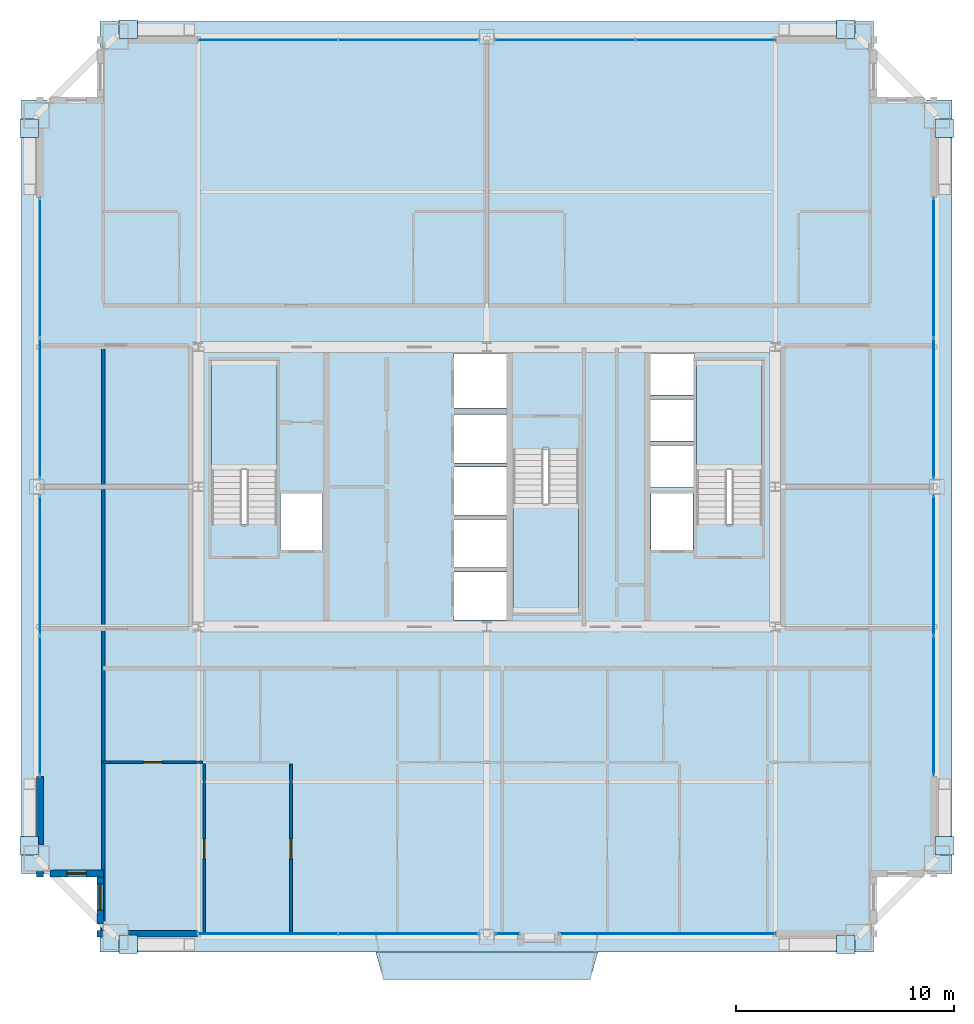
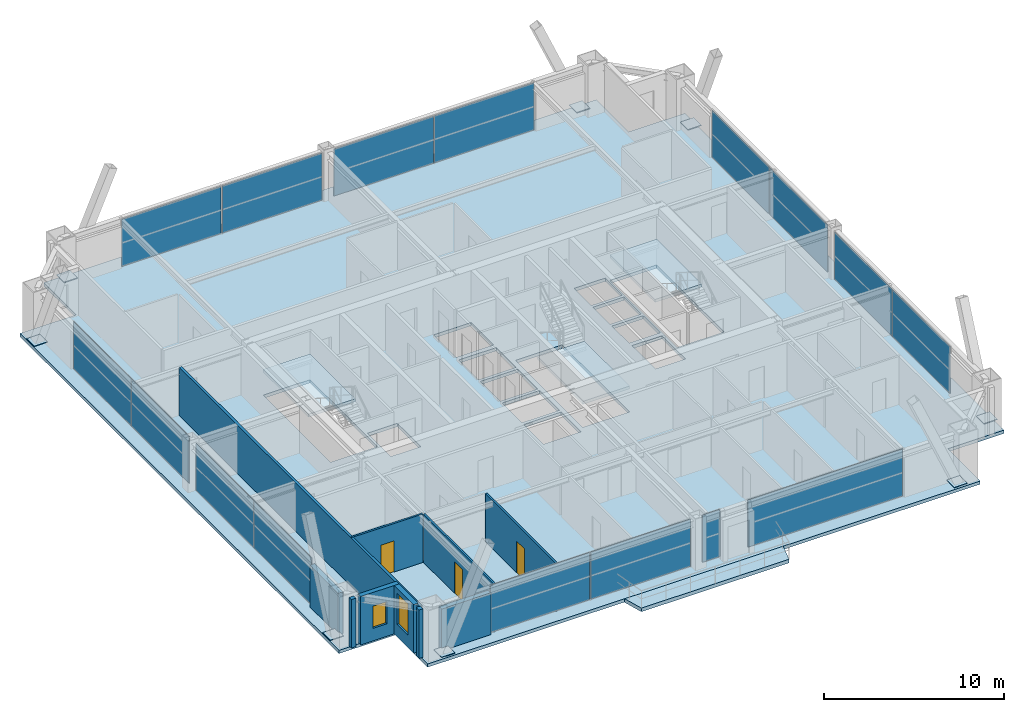
# One storey, part 30 of 35: 24 plates, 10 walls, 5 slabs, 3 doors, 2 windows, 5 openings, 12 elements without a shape of their own.
"""IFC4 building model written with IfcOpenShell, lengths in metres."""

from ifc_helpers import new_model, si_unit, direction, frame, frame_2d, origin, origin_2d, place, context, subcontext, project, spatial, polyline, rectangle, outline, extrude, source, transform, mapped, material, layer, layer_set, type_object, element, fill, aggregate, save


model = new_model("IFC4")

# Units and contexts
model_context = context("Model", 3, precision=1e-05, world=origin(), true_north=direction((0.0, 1.0)))
body_context = subcontext(model_context, "Body", "Model", "MODEL_VIEW")
ifc_project = project(units=[si_unit("LENGTHUNIT", "METRE"), si_unit("AREAUNIT", "SQUARE_METRE"), si_unit("VOLUMEUNIT", "CUBIC_METRE"), si_unit("PLANEANGLEUNIT", "RADIAN"), si_unit("MASSUNIT", "GRAM", prefix="KILO"), si_unit("THERMODYNAMICTEMPERATUREUNIT", "KELVIN"), si_unit("POWERUNIT", "WATT")], contexts=[model_context])

# Site, building, storey
site_placement = place(None, origin())
site = spatial("IfcSite", under=ifc_project, at=site_placement, CompositionType="ELEMENT")
building_placement = place(site_placement, origin())
building = spatial("IfcBuilding", under=site, at=building_placement, Name="Yuzanri Waterfront Tower", CompositionType="ELEMENT")
storey_placement = place(building_placement, frame((0.0, 0.0, 227.60009765625)))
storey = spatial("IfcBuildingStorey", under=building, at=storey_placement, Name="L60", CompositionType="ELEMENT", Elevation=227.60009765625)

# Stair, slab
ifc_material_1 = material(Name="Concrete C40", Category="concrete")
stair_type = type_object("IfcStairType", Name="Concrete C40 Core Dogleg Exit Stair", PredefinedType="HALF_TURN_STAIR", material=ifc_material_1)
stair_1_placement = place(storey_placement, origin())
stair_1 = element("IfcStair", 1, at=stair_1_placement, inside=storey, type_object=stair_type, Name="L60 Smoke-Proof Core Stair ST-01", PredefinedType="HALF_TURN_STAIR")
ifc_material_2 = material(Name="Concrete C40", Category="concrete")
ifc_layer_1 = layer(ifc_material_2, 0.179931640625)
ifc_layer_set_1 = layer_set([ifc_layer_1], Name="Concrete C40")
slab_type_1 = type_object("IfcSlabType", Name="Concrete C40 Stair Half-Landing Slab 180", PredefinedType="LANDING", material=ifc_layer_set_1)
slab_1_placement = place(storey_placement, frame((0.0, 0.0, 1.5498046875)))
slab_1 = element("IfcSlab", 2, at=slab_1_placement, type_object=slab_type_1, Name="ST-01 landing 1", PredefinedType="LANDING", context=body_context, shape_type="SweptSolid", body=[
    extrude(outline(polyline([(27.39990234375, 26.56005859375), (27.39990234375, 31.580078125), (24.39990234375, 31.580078125), (24.39990234375, 26.56005859375), (27.39990234375, 26.56005859375)])), origin(), (0.0, 0.0, 1.0), 0.2001953125),
])
aggregate(stair_1, [slab_1])

stair_2_placement = place(storey_placement, origin())
stair_2 = element("IfcStair", 3, at=stair_2_placement, inside=storey, type_object=stair_type, Name="L60 Smoke-Proof Core Stair ST-02", PredefinedType="HALF_TURN_STAIR")
slab_2_placement = place(storey_placement, frame((0.0, 0.0, 1.5498046875)))
slab_2 = element("IfcSlab", 4, at=slab_2_placement, type_object=slab_type_1, Name="ST-02 landing 1", PredefinedType="LANDING", context=body_context, shape_type="SweptSolid", body=[
    extrude(outline(polyline([(49.60009765625, 26.56005859375), (49.60009765625, 31.580078125), (46.60009765625, 31.580078125), (46.60009765625, 26.56005859375), (49.60009765625, 26.56005859375)])), origin(), (0.0, 0.0, 1.0), 0.2001953125),
])
aggregate(stair_2, [slab_2])

stair_3_placement = place(storey_placement, origin())
stair_3 = element("IfcStair", 5, at=stair_3_placement, inside=storey, type_object=stair_type, Name="L60 Smoke-Proof Core Stair ST-03", PredefinedType="HALF_TURN_STAIR")
slab_3_placement = place(storey_placement, frame((0.0, 0.0, 1.5498046875)))
slab_3 = element("IfcSlab", 6, at=slab_3_placement, type_object=slab_type_1, Name="ST-03 landing 1", PredefinedType="LANDING", context=body_context, shape_type="SweptSolid", body=[
    extrude(outline(polyline([(38.199951171875, 25.0400390625), (38.199951171875, 20.02001953125), (41.199951171875, 20.02001953125), (41.199951171875, 25.0400390625), (38.199951171875, 25.0400390625)])), origin(), (0.0, 0.0, 1.0), 0.2001953125),
])
aggregate(stair_3, [slab_3])

# Slabs
ifc_material_3 = material(Name="Concrete C40", Category="concrete")
ifc_layer_2 = layer(ifc_material_3, 0.25)
ifc_layer_set_2 = layer_set([ifc_layer_2], Name="Concrete C40")
slab_type_2 = type_object("IfcSlabType", Name="Concrete C40 Stepped Gorge Pocket Garden Terrace Slab 250", PredefinedType="FLOOR", material=ifc_layer_set_2)
slab_4_placement = place(storey_placement, frame((0.0, 0.0, -0.25)))
element("IfcSlab", 7, at=slab_4_placement, inside=storey, type_object=slab_type_2, Name="L60 S Cantilevered Engawa Terrace Slab", PredefinedType="FLOOR", context=body_context, shape_type="SweptSolid", body=[
    extrude(outline(polyline([(31.919921875, 4.5), (42.080078125, 4.5), (41.72998046875, 3.2509765625), (32.27001953125, 3.2509765625), (31.919921875, 4.5)])), origin(), (0.0, 0.0, 1.0), 0.25),
])
ifc_material_4 = material(Name="Concrete C40", Category="concrete")
ifc_layer_3 = layer(ifc_material_4, 0.219970703125)
ifc_layer_set_3 = layer_set([ifc_layer_3], Name="Concrete C40")
slab_type_3 = type_object("IfcSlabType", Name="Concrete C40 Tower Typical Structural Floor Slab 220", PredefinedType="FLOOR", material=ifc_layer_set_3)
slab_5_placement = place(storey_placement, frame((0.0, 0.0, -0.22021484375)))
element("IfcSlab", 8, at=slab_5_placement, inside=storey, type_object=slab_type_3, Name="L60 Main Structural Floor Slab", PredefinedType="FLOOR", context=body_context, shape_type="SweptSolid", body=[
    extrude(outline(polyline([(19.300048828125, 4.5), (54.699951171875, 4.5), (54.699951171875, 8.10009765625), (58.300048828125, 8.10009765625), (58.300048828125, 43.5), (54.699951171875, 43.5), (54.699951171875, 47.10009765625), (19.300048828125, 47.10009765625), (19.300048828125, 43.5), (15.699951171875, 43.5), (15.699951171875, 8.10009765625), (19.300048828125, 8.10009765625), (19.300048828125, 4.5)]), holes=[polyline([(27.39990234375, 24.10009765625), (27.39990234375, 31.580078125), (24.39990234375, 31.580078125), (24.39990234375, 24.10009765625), (27.39990234375, 24.10009765625)]), polyline([(49.60009765625, 24.10009765625), (49.60009765625, 31.580078125), (46.60009765625, 31.580078125), (46.60009765625, 24.10009765625), (49.60009765625, 24.10009765625)]), polyline([(38.199951171875, 27.5), (38.199951171875, 20.02001953125), (41.199951171875, 20.02001953125), (41.199951171875, 27.5), (38.199951171875, 27.5)]), polyline([(27.56005859375, 22.89990234375), (29.47998046875, 22.89990234375), (29.47998046875, 25.5), (27.56005859375, 25.5), (27.56005859375, 22.89990234375)]), polyline([(44.52001953125, 22.89990234375), (46.43994140625, 22.89990234375), (46.43994140625, 25.5), (44.52001953125, 25.5), (44.52001953125, 22.89990234375)]), polyline([(35.5, 19.699951171875), (37.89990234375, 19.699951171875), (37.89990234375, 21.89990234375), (35.5, 21.89990234375), (35.5, 19.699951171875)]), polyline([(35.5, 22.10009765625), (37.89990234375, 22.10009765625), (37.89990234375, 24.300048828125), (35.5, 24.300048828125), (35.5, 22.10009765625)]), polyline([(35.5, 24.5), (37.89990234375, 24.5), (37.89990234375, 26.699951171875), (35.5, 26.699951171875), (35.5, 24.5)]), polyline([(35.5, 26.89990234375), (37.89990234375, 26.89990234375), (37.89990234375, 29.10009765625), (35.5, 29.10009765625), (35.5, 26.89990234375)]), polyline([(35.5, 29.39990234375), (37.89990234375, 29.39990234375), (37.89990234375, 31.89990234375), (35.5, 31.89990234375), (35.5, 29.39990234375)]), polyline([(44.5, 25.800048828125), (46.5, 25.800048828125), (46.5, 27.699951171875), (44.5, 27.699951171875), (44.5, 25.800048828125)]), polyline([(44.5, 27.89990234375), (46.5, 27.89990234375), (46.5, 29.800048828125), (44.5, 29.800048828125), (44.5, 27.89990234375)]), polyline([(44.5, 30.0), (46.5, 30.0), (46.5, 31.89990234375), (44.5, 31.89990234375), (44.5, 30.0)])]), origin(), (0.0, 0.0, 1.0), 0.22021484375),
])

# Plates
ifc_material_5 = material(Name="Steel Q420GJC", Category="steel")
ifc_layer_4 = layer(ifc_material_5, 0.0400390625)
ifc_layer_set_4 = layer_set([ifc_layer_4], Name="Steel Q420GJC")
plate_type_1 = type_object("IfcPlateType", Name="Steel Q420GJC Mega-Brace Gusset and End-Cap Plate 40", PredefinedType="SHEET", material=ifc_layer_set_4)
shared_shape_1 = source(origin(), body_context, "Body", "SweptSolid", [
    extrude(rectangle(XDim=0.85009765625, YDim=0.85009765625, at=origin_2d()), origin(), (0.0, 0.0, 1.0), 0.0400390625),
])
for number, where, z_axis, x_axis, name in (
    (9, (20.580078125, 4.860107421875, 0.159912109375), (0.0, 0.0, 1.0), (1.0, 0.0, 0.0), "L60 Mega-Brace Foot Cap Plate S-L"),
    (10, (53.419921875, 4.860107421875, 0.159912109375), (0.0, 0.0, 1.0), (1.0, 0.0, 0.0), "L60 Mega-Brace Foot Cap Plate S-R"),
    (11, (20.580078125, 46.739990234375, 0.159912109375), (0.0, 0.0, 1.0), (1.0, 0.0, 0.0), "L60 Mega-Brace Foot Cap Plate N-L"),
    (12, (53.419921875, 46.739990234375, 0.159912109375), (0.0, 0.0, 1.0), (1.0, 0.0, 0.0), "L60 Mega-Brace Foot Cap Plate N-R"),
    (13, (16.06005859375, 9.3798828125, 0.159912109375), (0.0, 0.0, 1.0), (1.0, 0.0, 0.0), "L60 Mega-Brace Foot Cap Plate W-L"),
    (14, (16.06005859375, 42.219970703125, 0.159912109375), (0.0, 0.0, 1.0), (1.0, 0.0, 0.0), "L60 Mega-Brace Foot Cap Plate W-R"),
    (15, (57.93994140625, 9.3798828125, 0.159912109375), (0.0, 0.0, 1.0), (1.0, 0.0, 0.0), "L60 Mega-Brace Foot Cap Plate E-L"),
    (16, (57.93994140625, 42.219970703125, 0.159912109375), (0.0, 0.0, 1.0), (1.0, 0.0, 0.0), "L60 Mega-Brace Foot Cap Plate E-R"),
):
    element("IfcPlate", number, at=place(storey_placement, frame(where, z_axis=z_axis, x_axis=x_axis)), inside=storey, type_object=plate_type_1, Name=name, PredefinedType="SHEET", context=body_context, shape_type="MappedRepresentation", body=[
        mapped(shared_shape_1, transform((0.0, 0.0, 0.0), scale=1.0)),
    ])

# Curtain wall, plates
ifc_material_6 = material(Name="Anodized Architectural Bronze", Category="metal")
ifc_layer_5 = layer(ifc_material_6, 0.159912109375)
ifc_layer_set_5 = layer_set([ifc_layer_5], Name="Anodized Architectural Bronze")
curtain_wall_type = type_object("IfcCurtainWallType", Name="Anodized Bronze Mid-Rise Residential Acoustic Unitized Curtain Wall 7200", PredefinedType="NOTDEFINED", material=ifc_layer_set_5)
curtain_wall_1_placement = place(storey_placement, origin())
curtain_wall_1 = element("IfcCurtainWall", 17, at=curtain_wall_1_placement, inside=storey, type_object=curtain_wall_type, Name="L60 Curtain Wall CW-L60-SL", PredefinedType="NOTDEFINED")
ifc_material_7 = material(Name="Triple Low-E Laminated Insulated Glass", Category="glass")
ifc_layer_6 = layer(ifc_material_7, 0.0439453125)
ifc_layer_set_6 = layer_set([ifc_layer_6], Name="Triple Low-E Laminated Insulated Glass")
plate_type_2 = type_object("IfcPlateType", Name="Triple Glazed Acoustic Vision Glass Panel 44", PredefinedType="CURTAIN_PANEL", material=ifc_layer_set_6)
shared_shape_2 = source(origin(), body_context, "Body", "SweptSolid", [
    extrude(rectangle(XDim=6.3701171875, YDim=0.0439453125, at=origin_2d()), origin(), (0.0, 0.0, 1.0), 3.179931640625),
])
plate_1_placement = place(storey_placement, frame((26.97509765625, 5.35009765625, 0.0498046875), z_axis=(0.0, 0.0, 1.0), x_axis=(1.0, 0.0, 0.0)))
plate_1 = element("IfcPlate", 18, at=plate_1_placement, type_object=plate_type_2, Name="CW-L60-SL Vision Glass Panel 01", PredefinedType="CURTAIN_PANEL", context=body_context, shape_type="MappedRepresentation", body=[
    mapped(shared_shape_2, transform((0.0, 0.0, 0.0), scale=1.0)),
])
plate_2_placement = place(storey_placement, frame((33.425048828125, 5.35009765625, 0.0498046875), z_axis=(0.0, 0.0, 1.0), x_axis=(1.0, 0.0, 0.0)))
plate_2 = element("IfcPlate", 19, at=plate_2_placement, type_object=plate_type_2, Name="CW-L60-SL Vision Glass Panel 02", PredefinedType="CURTAIN_PANEL", context=body_context, shape_type="MappedRepresentation", body=[
    mapped(shared_shape_2, transform((0.0, 0.0, 0.0), scale=1.0)),
])
aggregate(curtain_wall_1, [plate_1, plate_2])

curtain_wall_2_placement = place(storey_placement, origin())
curtain_wall_2 = element("IfcCurtainWall", 20, at=curtain_wall_2_placement, inside=storey, type_object=curtain_wall_type, Name="L60 Curtain Wall CW-L60-NL", PredefinedType="NOTDEFINED")
plate_3_placement = place(storey_placement, frame((26.97509765625, 46.25, 0.0498046875), z_axis=(0.0, 0.0, 1.0), x_axis=(1.0, 0.0, 0.0)))
plate_3 = element("IfcPlate", 21, at=plate_3_placement, type_object=plate_type_2, Name="CW-L60-NL Vision Glass Panel 01", PredefinedType="CURTAIN_PANEL", context=body_context, shape_type="MappedRepresentation", body=[
    mapped(shared_shape_2, transform((0.0, 0.0, 0.0), scale=1.0)),
])
plate_4_placement = place(storey_placement, frame((33.425048828125, 46.25, 0.0498046875), z_axis=(0.0, 0.0, 1.0), x_axis=(1.0, 0.0, 0.0)))
plate_4 = element("IfcPlate", 22, at=plate_4_placement, type_object=plate_type_2, Name="CW-L60-NL Vision Glass Panel 02", PredefinedType="CURTAIN_PANEL", context=body_context, shape_type="MappedRepresentation", body=[
    mapped(shared_shape_2, transform((0.0, 0.0, 0.0), scale=1.0)),
])
aggregate(curtain_wall_2, [plate_3, plate_4])

curtain_wall_3_placement = place(storey_placement, origin())
curtain_wall_3 = element("IfcCurtainWall", 23, at=curtain_wall_3_placement, inside=storey, type_object=curtain_wall_type, Name="L60 Curtain Wall CW-L60-NR", PredefinedType="NOTDEFINED")
plate_5_placement = place(storey_placement, frame((40.574951171875, 46.25, 0.0498046875), z_axis=(0.0, 0.0, 1.0), x_axis=(1.0, 0.0, 0.0)))
plate_5 = element("IfcPlate", 24, at=plate_5_placement, type_object=plate_type_2, Name="CW-L60-NR Vision Glass Panel 01", PredefinedType="CURTAIN_PANEL", context=body_context, shape_type="MappedRepresentation", body=[
    mapped(shared_shape_2, transform((0.0, 0.0, 0.0), scale=1.0)),
])
plate_6_placement = place(storey_placement, frame((47.02490234375, 46.25, 0.0498046875), z_axis=(0.0, 0.0, 1.0), x_axis=(1.0, 0.0, 0.0)))
plate_6 = element("IfcPlate", 25, at=plate_6_placement, type_object=plate_type_2, Name="CW-L60-NR Vision Glass Panel 02", PredefinedType="CURTAIN_PANEL", context=body_context, shape_type="MappedRepresentation", body=[
    mapped(shared_shape_2, transform((0.0, 0.0, 0.0), scale=1.0)),
])
aggregate(curtain_wall_3, [plate_5, plate_6])

curtain_wall_4_placement = place(storey_placement, origin())
curtain_wall_4 = element("IfcCurtainWall", 26, at=curtain_wall_4_placement, inside=storey, type_object=curtain_wall_type, Name="L60 Curtain Wall CW-L60-WL", PredefinedType="NOTDEFINED")
plate_7_placement = place(storey_placement, frame((16.550048828125, 15.77490234375, 0.0498046875), z_axis=(0.0, 0.0, 1.0), x_axis=(0.0, 1.0, 0.0)))
plate_7 = element("IfcPlate", 27, at=plate_7_placement, type_object=plate_type_2, Name="CW-L60-WL Vision Glass Panel 01", PredefinedType="CURTAIN_PANEL", context=body_context, shape_type="MappedRepresentation", body=[
    mapped(shared_shape_2, transform((0.0, 0.0, 0.0), scale=1.0)),
])
plate_8_placement = place(storey_placement, frame((16.550048828125, 22.22509765625, 0.0498046875), z_axis=(0.0, 0.0, 1.0), x_axis=(0.0, 1.0, 0.0)))
plate_8 = element("IfcPlate", 28, at=plate_8_placement, type_object=plate_type_2, Name="CW-L60-WL Vision Glass Panel 02", PredefinedType="CURTAIN_PANEL", context=body_context, shape_type="MappedRepresentation", body=[
    mapped(shared_shape_2, transform((0.0, 0.0, 0.0), scale=1.0)),
])
aggregate(curtain_wall_4, [plate_7, plate_8])

curtain_wall_5_placement = place(storey_placement, origin())
curtain_wall_5 = element("IfcCurtainWall", 29, at=curtain_wall_5_placement, inside=storey, type_object=curtain_wall_type, Name="L60 Curtain Wall CW-L60-WR", PredefinedType="NOTDEFINED")
plate_9_placement = place(storey_placement, frame((16.550048828125, 29.375, 0.0498046875), z_axis=(0.0, 0.0, 1.0), x_axis=(0.0, 1.0, 0.0)))
plate_9 = element("IfcPlate", 30, at=plate_9_placement, type_object=plate_type_2, Name="CW-L60-WR Vision Glass Panel 01", PredefinedType="CURTAIN_PANEL", context=body_context, shape_type="MappedRepresentation", body=[
    mapped(shared_shape_2, transform((0.0, 0.0, 0.0), scale=1.0)),
])
plate_10_placement = place(storey_placement, frame((16.550048828125, 35.824951171875, 0.0498046875), z_axis=(0.0, 0.0, 1.0), x_axis=(0.0, 1.0, 0.0)))
plate_10 = element("IfcPlate", 31, at=plate_10_placement, type_object=plate_type_2, Name="CW-L60-WR Vision Glass Panel 02", PredefinedType="CURTAIN_PANEL", context=body_context, shape_type="MappedRepresentation", body=[
    mapped(shared_shape_2, transform((0.0, 0.0, 0.0), scale=1.0)),
])
aggregate(curtain_wall_5, [plate_9, plate_10])

curtain_wall_6_placement = place(storey_placement, origin())
curtain_wall_6 = element("IfcCurtainWall", 32, at=curtain_wall_6_placement, inside=storey, type_object=curtain_wall_type, Name="L60 Curtain Wall CW-L60-EL", PredefinedType="NOTDEFINED")
plate_11_placement = place(storey_placement, frame((57.449951171875, 15.77490234375, 0.0498046875), z_axis=(0.0, 0.0, 1.0), x_axis=(0.0, 1.0, 0.0)))
plate_11 = element("IfcPlate", 33, at=plate_11_placement, type_object=plate_type_2, Name="CW-L60-EL Vision Glass Panel 01", PredefinedType="CURTAIN_PANEL", context=body_context, shape_type="MappedRepresentation", body=[
    mapped(shared_shape_2, transform((0.0, 0.0, 0.0), scale=1.0)),
])
plate_12_placement = place(storey_placement, frame((57.449951171875, 22.22509765625, 0.0498046875), z_axis=(0.0, 0.0, 1.0), x_axis=(0.0, 1.0, 0.0)))
plate_12 = element("IfcPlate", 34, at=plate_12_placement, type_object=plate_type_2, Name="CW-L60-EL Vision Glass Panel 02", PredefinedType="CURTAIN_PANEL", context=body_context, shape_type="MappedRepresentation", body=[
    mapped(shared_shape_2, transform((0.0, 0.0, 0.0), scale=1.0)),
])
aggregate(curtain_wall_6, [plate_11, plate_12])

curtain_wall_7_placement = place(storey_placement, origin())
curtain_wall_7 = element("IfcCurtainWall", 35, at=curtain_wall_7_placement, inside=storey, type_object=curtain_wall_type, Name="L60 Curtain Wall CW-L60-ER", PredefinedType="NOTDEFINED")
plate_13_placement = place(storey_placement, frame((57.449951171875, 29.375, 0.0498046875), z_axis=(0.0, 0.0, 1.0), x_axis=(0.0, 1.0, 0.0)))
plate_13 = element("IfcPlate", 36, at=plate_13_placement, type_object=plate_type_2, Name="CW-L60-ER Vision Glass Panel 01", PredefinedType="CURTAIN_PANEL", context=body_context, shape_type="MappedRepresentation", body=[
    mapped(shared_shape_2, transform((0.0, 0.0, 0.0), scale=1.0)),
])
plate_14_placement = place(storey_placement, frame((57.449951171875, 35.824951171875, 0.0498046875), z_axis=(0.0, 0.0, 1.0), x_axis=(0.0, 1.0, 0.0)))
plate_14 = element("IfcPlate", 37, at=plate_14_placement, type_object=plate_type_2, Name="CW-L60-ER Vision Glass Panel 02", PredefinedType="CURTAIN_PANEL", context=body_context, shape_type="MappedRepresentation", body=[
    mapped(shared_shape_2, transform((0.0, 0.0, 0.0), scale=1.0)),
])
aggregate(curtain_wall_7, [plate_13, plate_14])

# Curtain wall, plate
curtain_wall_8_placement = place(storey_placement, origin())
curtain_wall_8 = element("IfcCurtainWall", 38, at=curtain_wall_8_placement, inside=storey, type_object=curtain_wall_type, Name="L60 Curtain Wall CW-L60-SR1", PredefinedType="NOTDEFINED")
shared_shape_3 = source(origin(), body_context, "Body", "SweptSolid", [
    extrude(rectangle(XDim=1.1201171875, YDim=0.0439453125, at=origin_2d()), origin(), (0.0, 0.0, 1.0), 3.179931640625),
])
plate_15_placement = place(storey_placement, frame((37.949951171875, 5.35009765625, 0.0498046875), z_axis=(0.0, 0.0, 1.0), x_axis=(1.0, 0.0, 0.0)))
plate_15 = element("IfcPlate", 39, at=plate_15_placement, type_object=plate_type_2, Name="CW-L60-SR1 Vision Glass Panel 01", PredefinedType="CURTAIN_PANEL", context=body_context, shape_type="MappedRepresentation", body=[
    mapped(shared_shape_3, transform((0.0, 0.0, 0.0), scale=1.0)),
])
aggregate(curtain_wall_8, [plate_15])

curtain_wall_9_placement = place(storey_placement, origin())
curtain_wall_9 = element("IfcCurtainWall", 40, at=curtain_wall_9_placement, inside=storey, type_object=curtain_wall_type, Name="L60 Curtain Wall CW-L60-SR2", PredefinedType="NOTDEFINED")
shared_shape_4 = source(origin(), body_context, "Body", "SweptSolid", [
    extrude(rectangle(XDim=9.919921875, YDim=0.0439453125, at=origin_2d()), origin(), (0.0, 0.0, 1.0), 3.179931640625),
])
plate_16_placement = place(storey_placement, frame((45.25, 5.35009765625, 0.0498046875), z_axis=(0.0, 0.0, 1.0), x_axis=(1.0, 0.0, 0.0)))
plate_16 = element("IfcPlate", 41, at=plate_16_placement, type_object=plate_type_2, Name="CW-L60-SR2 Vision Glass Panel 01", PredefinedType="CURTAIN_PANEL", context=body_context, shape_type="MappedRepresentation", body=[
    mapped(shared_shape_4, transform((0.0, 0.0, 0.0), scale=1.0)),
])
aggregate(curtain_wall_9, [plate_16])

# Wall, opening, door
ifc_material_8 = material(Name="Moisture-Resistant Gypsum Stud Wall", Category="gypsum")
ifc_layer_7 = layer(ifc_material_8, 0.1201171875)
ifc_layer_set_7 = layer_set([ifc_layer_7], Name="Moisture-Resistant Gypsum Stud Wall")
wall_type_1 = type_object("IfcWallType", Name="Bathroom and Kitchen Wet Partition 120", PredefinedType="PARTITIONING", material=ifc_layer_set_7)
wall_1_placement = place(storey_placement, frame((19.43994140625, 13.199951171875, 0.0), z_axis=(0.0, 0.0, 1.0), x_axis=(1.0, 0.0, 0.0)))
wall_1 = element("IfcWall", 42, at=wall_1_placement, inside=storey, type_object=wall_type_1, Name="L60 Partition UW-L60-RS1-SUB-1-S", PredefinedType="PARTITIONING", context=body_context, shape_type="SweptSolid", body=[
    extrude(rectangle(XDim=4.545166015625, YDim=0.1201171875, at=frame_2d((2.2724609375, 0.0))), origin(), (0.0, 0.0, 1.0), 3.27978515625),
])
opening_1_placement = place(wall_1_placement, frame((1.847412109375, 0.0, 0.0)))
opening_1 = element("IfcOpeningElement", 43, at=opening_1_placement, cuts=wall_1, Name="Opening ID-0850", PredefinedType="OPENING", context=body_context, shape_type="SweptSolid", body=[
    extrude(rectangle(XDim=0.85009765625, YDim=2.10009765625, at=frame_2d((0.425048828125, 1.050048828125))), frame((0.0, 0.074951171875, 0.0), z_axis=(0.0, -1.0, 0.0), x_axis=(1.0, 0.0, 0.0)), (0.0, 0.0, 1.0), 0.14990234375),
])
ifc_material_9 = material(Name="Moisture-Resistant Lacquered Timber", Category="wood")
door_type_1 = type_object("IfcDoorType", Name="En-Suite Bathroom and Kitchen Swing Door 850x2100", OperationType="NOTDEFINED", PredefinedType="DOOR", material=ifc_material_9)
shared_shape_5 = source(origin(), body_context, "Body", "SweptSolid", [
    extrude(rectangle(XDim=0.85009765625, YDim=2.10009765625, at=frame_2d((0.425048828125, 1.050048828125))), frame((0.0, 0.02490234375, 0.0), z_axis=(0.0, -1.0, 0.0), x_axis=(1.0, 0.0, 0.0)), (0.0, 0.0, 1.0), 0.050048828125),
])
door_1_placement = place(opening_1_placement, origin())
door_1 = element("IfcDoor", 44, at=door_1_placement, inside=storey, type_object=door_type_1, Name="L60 Suite Interior Room Door", OperationType="SINGLE_SWING_RIGHT", OverallHeight=2.10009765625, OverallWidth=0.85009765625, PredefinedType="DOOR", context=body_context, shape_type="MappedRepresentation", body=[
    mapped(shared_shape_5, transform((0.0, 0.0, 0.0), scale=1.0)),
])
fill(opening_1, door_1)

wall_2_placement = place(storey_placement, frame((24.06494140625, 5.35009765625, 0.0), z_axis=(0.0, 0.0, 1.0), x_axis=(0.0, 1.0, 0.0)))
wall_2 = element("IfcWall", 45, at=wall_2_placement, inside=storey, type_object=wall_type_1, Name="L60 Partition UW-L60-RS1-SUB-5-E", PredefinedType="PARTITIONING", context=body_context, shape_type="SweptSolid", body=[
    extrude(rectangle(XDim=7.77001953125, YDim=0.1201171875, at=frame_2d((3.885009765625, 0.0))), origin(), (0.0, 0.0, 1.0), 3.27978515625),
])
opening_2_placement = place(wall_2_placement, frame((3.43505859375, 0.0, 0.0)))
opening_2 = element("IfcOpeningElement", 46, at=opening_2_placement, cuts=wall_2, Name="Opening ID-0900", PredefinedType="OPENING", context=body_context, shape_type="SweptSolid", body=[
    extrude(rectangle(XDim=0.89990234375, YDim=2.14990234375, at=frame_2d((0.449951171875, 1.074951171875))), frame((0.0, 0.074951171875, 0.0), z_axis=(0.0, -1.0, 0.0), x_axis=(1.0, 0.0, 0.0)), (0.0, 0.0, 1.0), 0.14990234375),
])
ifc_material_10 = material(Name="Stained Walnut Veneer Timber", Category="wood")
door_type_2 = type_object("IfcDoorType", Name="Bedroom and Study Interior Swing Door 900x2150", OperationType="NOTDEFINED", PredefinedType="DOOR", material=ifc_material_10)
shared_shape_6 = source(origin(), body_context, "Body", "SweptSolid", [
    extrude(rectangle(XDim=0.89990234375, YDim=2.14990234375, at=frame_2d((0.449951171875, 1.074951171875))), frame((0.0, 0.02490234375, 0.0), z_axis=(0.0, -1.0, 0.0), x_axis=(1.0, 0.0, 0.0)), (0.0, 0.0, 1.0), 0.050048828125),
])
door_2_placement = place(opening_2_placement, origin())
door_2 = element("IfcDoor", 47, at=door_2_placement, inside=storey, type_object=door_type_2, Name="L60 Suite Interior Room Door", OperationType="SINGLE_SWING_RIGHT", OverallHeight=2.14990234375, OverallWidth=0.89990234375, PredefinedType="DOOR", context=body_context, shape_type="MappedRepresentation", body=[
    mapped(shared_shape_6, transform((0.0, 0.0, 0.0), scale=1.0)),
])
fill(opening_2, door_2)

wall_3_placement = place(storey_placement, frame((28.0400390625, 5.35009765625, 0.0), z_axis=(0.0, 0.0, 1.0), x_axis=(0.0, 1.0, 0.0)))
wall_3 = element("IfcWall", 48, at=wall_3_placement, inside=storey, type_object=wall_type_1, Name="L60 Partition UW-L60-RS1-SUB-7-E", PredefinedType="PARTITIONING", context=body_context, shape_type="SweptSolid", body=[
    extrude(rectangle(XDim=7.77001953125, YDim=0.1201171875, at=frame_2d((3.885009765625, 0.0))), origin(), (0.0, 0.0, 1.0), 3.27978515625),
])
opening_3_placement = place(wall_3_placement, frame((3.43505859375, 0.0, 0.0)))
opening_3 = element("IfcOpeningElement", 49, at=opening_3_placement, cuts=wall_3, Name="Opening ID-0900", PredefinedType="OPENING", context=body_context, shape_type="SweptSolid", body=[
    extrude(rectangle(XDim=0.89990234375, YDim=2.14990234375, at=frame_2d((0.449951171875, 1.074951171875))), frame((0.0, 0.074951171875, 0.0), z_axis=(0.0, -1.0, 0.0), x_axis=(1.0, 0.0, 0.0)), (0.0, 0.0, 1.0), 0.14990234375),
])
door_3_placement = place(opening_3_placement, origin())
door_3 = element("IfcDoor", 50, at=door_3_placement, inside=storey, type_object=door_type_2, Name="L60 Suite Interior Room Door", OperationType="SINGLE_SWING_RIGHT", OverallHeight=2.14990234375, OverallWidth=0.89990234375, PredefinedType="DOOR", context=body_context, shape_type="MappedRepresentation", body=[
    mapped(shared_shape_6, transform((0.0, 0.0, 0.0), scale=1.0)),
])
fill(opening_3, door_3)

# Wall, opening, window
ifc_material_11 = material(Name="Honed Chongqing Dark Basalt Stone", Category="masonry")
ifc_layer_8 = layer(ifc_material_11, 0.300048828125)
ifc_layer_set_8 = layer_set([ifc_layer_8], Name="Honed Chongqing Dark Basalt Stone")
wall_type_2 = type_object("IfcWallType", Name="Bronze Rainscreen Insulated Spandrel Portal Wall 300", PredefinedType="SOLIDWALL", material=ifc_layer_set_8)
wall_4_placement = place(storey_placement, frame((17.0, 8.10009765625, 0.0), z_axis=(0.0, 0.0, 1.0), x_axis=(1.0, 0.0, 0.0)))
wall_4 = element("IfcWall", 51, at=wall_4_placement, inside=storey, type_object=wall_type_2, Name="L60 Notched Corner Masonry Wall SW-X", PredefinedType="SOLIDWALL", context=body_context, shape_type="SweptSolid", body=[
    extrude(rectangle(XDim=2.449951171875, YDim=0.300048828125, at=frame_2d((1.22509765625, 0.0))), origin(), (0.0, 0.0, 1.0), 3.27978515625),
])
opening_4_placement = place(wall_4_placement, frame((0.77490234375, 0.0, 0.85009765625)))
opening_4 = element("IfcOpeningElement", 52, at=opening_4_placement, cuts=wall_4, Name="Opening WN-05", PredefinedType="OPENING", context=body_context, shape_type="SweptSolid", body=[
    extrude(rectangle(XDim=0.89990234375, YDim=1.5, at=frame_2d((0.449951171875, 0.75))), frame((0.0, 0.1650390625, 0.0), z_axis=(0.0, -1.0, 0.0), x_axis=(1.0, 0.0, 0.0)), (0.0, 0.0, 1.0), 0.329833984375),
])
ifc_material_12 = material(Name="Double-Silver Low-E Insulated Glass", Category="glass")
window_type_1 = type_object("IfcWindowType", Name="Anodized Bronze Service and Stairwell Smoke-Vent Window 900x1500", PartitioningType="SINGLE_PANEL", PredefinedType="WINDOW", material=ifc_material_12)
shared_shape_7 = source(origin(), body_context, "Body", "SweptSolid", [
    extrude(rectangle(XDim=0.89990234375, YDim=1.5, at=frame_2d((0.449951171875, 0.75))), frame((0.0, 0.030029296875, 0.0), z_axis=(0.0, -1.0, 0.0), x_axis=(1.0, 0.0, 0.0)), (0.0, 0.0, 1.0), 0.06005859375),
])
window_1_placement = place(opening_4_placement, origin())
window_1 = element("IfcWindow", 53, at=window_1_placement, inside=storey, type_object=window_type_1, Name="L60 Notched Corner Window SW-X", OverallHeight=1.5, OverallWidth=0.89990234375, PartitioningType="SINGLE_PANEL", PredefinedType="WINDOW", context=body_context, shape_type="MappedRepresentation", body=[
    mapped(shared_shape_7, transform((0.0, 0.0, 0.0), scale=1.0)),
])
fill(opening_4, window_1)

wall_5_placement = place(storey_placement, frame((19.300048828125, 8.25, 0.0), z_axis=(0.0, 0.0, 1.0), x_axis=(0.0, -1.0, 0.0)))
wall_5 = element("IfcWall", 54, at=wall_5_placement, inside=storey, type_object=wall_type_2, Name="L60 Notched Corner Masonry Wall SW-Y", PredefinedType="SOLIDWALL", context=body_context, shape_type="SweptSolid", body=[
    extrude(rectangle(XDim=2.449951171875, YDim=0.300048828125, at=frame_2d((1.22509765625, 0.0))), origin(), (0.0, 0.0, 1.0), 3.27978515625),
])
opening_5_placement = place(wall_5_placement, frame((0.625, 0.0, 0.85009765625)))
opening_5 = element("IfcOpeningElement", 55, at=opening_5_placement, cuts=wall_5, Name="Opening WN-02", PredefinedType="OPENING", context=body_context, shape_type="SweptSolid", body=[
    extrude(rectangle(XDim=1.199951171875, YDim=2.10009765625, at=frame_2d((0.60009765625, 1.050048828125))), frame((0.0, 0.1650390625, 0.0), z_axis=(0.0, -1.0, 0.0), x_axis=(1.0, 0.0, 0.0)), (0.0, 0.0, 1.0), 0.329833984375),
])
ifc_material_13 = material(Name="Double-Silver Low-E Insulated Glass", Category="glass")
window_type_2 = type_object("IfcWindowType", Name="Anodized Bronze Notched Corner Deep-Set Slot Window 1200x2100", PartitioningType="SINGLE_PANEL", PredefinedType="WINDOW", material=ifc_material_13)
shared_shape_8 = source(origin(), body_context, "Body", "SweptSolid", [
    extrude(rectangle(XDim=1.199951171875, YDim=2.10009765625, at=frame_2d((0.60009765625, 1.050048828125))), frame((0.0, 0.030029296875, 0.0), z_axis=(0.0, -1.0, 0.0), x_axis=(1.0, 0.0, 0.0)), (0.0, 0.0, 1.0), 0.06005859375),
])
window_2_placement = place(opening_5_placement, origin())
window_2 = element("IfcWindow", 56, at=window_2_placement, inside=storey, type_object=window_type_2, Name="L60 Notched Corner Window SW-Y", OverallHeight=2.10009765625, OverallWidth=1.199951171875, PartitioningType="SINGLE_PANEL", PredefinedType="WINDOW", context=body_context, shape_type="MappedRepresentation", body=[
    mapped(shared_shape_8, transform((0.0, 0.0, 0.0), scale=1.0)),
])
fill(opening_5, window_2)

# Walls
shared_shape_9 = source(origin(), body_context, "Body", "SweptSolid", [
    extrude(rectangle(XDim=0.25, YDim=0.300048828125, at=frame_2d((0.125, 0.0))), origin(), (0.0, 0.0, 1.0), 3.27978515625),
])
for number, where, z_axis, x_axis, name in (
    (57, (19.14990234375, 5.35009765625, 0.0), (0.0, 0.0, 1.0), (1.0, 0.0, 0.0), "L60 Corner Column Shoulder Return CSW"),
    (58, (16.550048828125, 7.949951171875, 0.0), (0.0, 0.0, 1.0), (0.0, 1.0, 0.0), "L60 Corner Column Shoulder Return CWS"),
):
    element("IfcWall", number, at=place(storey_placement, frame(where, z_axis=z_axis, x_axis=x_axis)), inside=storey, type_object=wall_type_2, Name=name, PredefinedType="SOLIDWALL", context=body_context, shape_type="MappedRepresentation", body=[
        mapped(shared_shape_9, transform((0.0, 0.0, 0.0), scale=1.0)),
    ])
shared_shape_10 = source(origin(), body_context, "Body", "SweptSolid", [
    extrude(rectangle(XDim=3.14990234375, YDim=0.300048828125, at=frame_2d((1.574951171875, 0.0))), origin(), (0.0, 0.0, 1.0), 2.8349609375),
])
wall_6_placement = place(storey_placement, frame((20.60009765625, 5.35009765625, 0.0), z_axis=(0.0, 0.0, 1.0), x_axis=(1.0, 0.0, 0.0)))
element("IfcWall", 59, at=wall_6_placement, inside=storey, type_object=wall_type_2, Name="L60 S Left Braced Masonry Shoulder", PredefinedType="SOLIDWALL", context=body_context, shape_type="MappedRepresentation", body=[
    mapped(shared_shape_10, transform((0.0, 0.0, 0.0), scale=1.0)),
])
shared_shape_11 = source(origin(), body_context, "Body", "SweptSolid", [
    extrude(rectangle(XDim=3.150146484375, YDim=0.300048828125, at=frame_2d((1.5751953125, 0.0))), origin(), (0.0, 0.0, 1.0), 2.8349609375),
])
wall_7_placement = place(storey_placement, frame((16.550048828125, 9.39990234375, 0.0), z_axis=(0.0, 0.0, 1.0), x_axis=(0.0, 1.0, 0.0)))
element("IfcWall", 60, at=wall_7_placement, inside=storey, type_object=wall_type_2, Name="L60 W Left Braced Masonry Shoulder", PredefinedType="SOLIDWALL", context=body_context, shape_type="MappedRepresentation", body=[
    mapped(shared_shape_11, transform((0.0, 0.0, 0.0), scale=1.0)),
])
ifc_material_14 = material(Name="Gypsum Fireboard Acoustic Stud Wall", Category="gypsum")
ifc_layer_9 = layer(ifc_material_14, 0.159912109375)
ifc_layer_set_9 = layer_set([ifc_layer_9], Name="Gypsum Fireboard Acoustic Stud Wall")
wall_type_3 = type_object("IfcWallType", Name="Acoustic Suite Demising Partition 160", PredefinedType="PARTITIONING", material=ifc_layer_set_9)
shared_shape_12 = source(origin(), body_context, "Body", "SweptSolid", [
    extrude(rectangle(XDim=26.68994140625, YDim=0.159912109375, at=frame_2d((13.344970703125, 0.0))), origin(), (0.0, 0.0, 1.0), 3.27978515625),
])
wall_8_placement = place(storey_placement, frame((19.449951171875, 5.5, 0.0), z_axis=(0.0, 0.0, 1.0), x_axis=(0.0, 1.0, 0.0)))
element("IfcWall", 61, at=wall_8_placement, inside=storey, type_object=wall_type_3, Name="L60 South Band West End Wall", PredefinedType="PARTITIONING", context=body_context, shape_type="MappedRepresentation", body=[
    mapped(shared_shape_12, transform((0.0, 0.0, 0.0), scale=1.0)),
])

save(model, "model.ifc")
